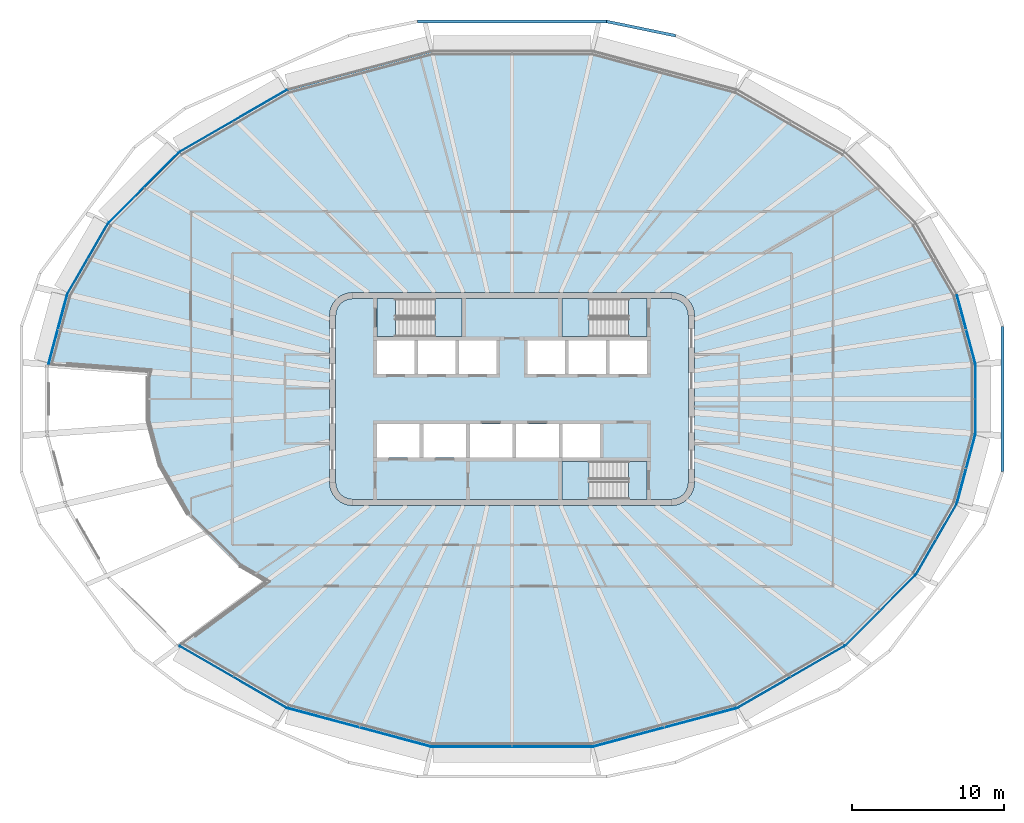
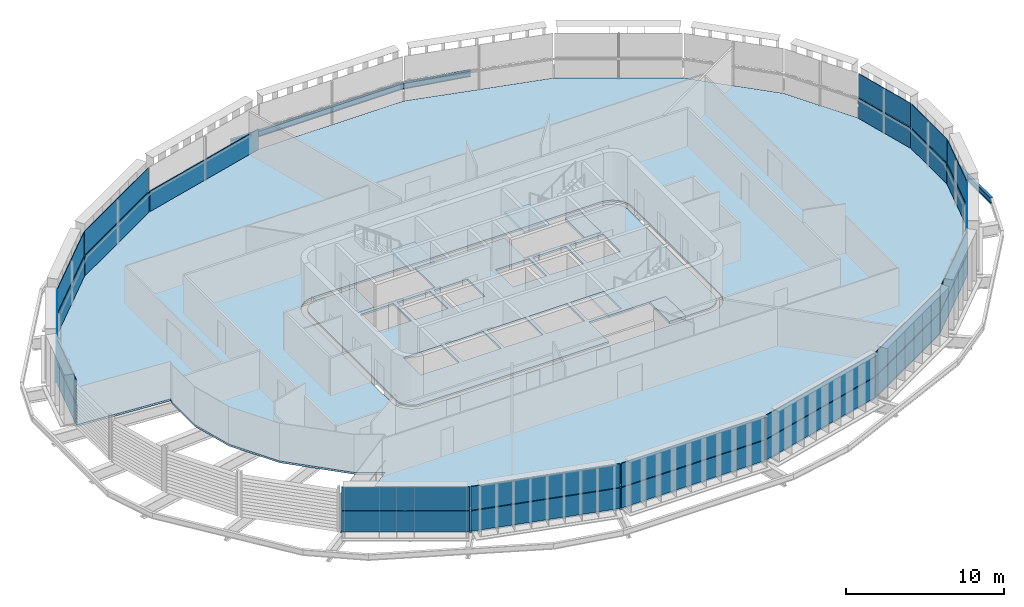
# One storey, part 8 of 19: 29 plates, 8 slabs, 3 beams, 18 elements without a shape of their own.
"""IFC4 building model written with IfcOpenShell, lengths in metres."""

import ifcopenshell
import ifcopenshell.guid

model = None  # the IFC model being written
_history = None  # IfcOwnerHistory: only IFC2X3 demands one
_inside = {}  # id of a spatial element -> (the spatial element, [elements in it])
_under = {}  # id of a project, library or spatial element -> (it, [spatial elements below it])
_declared = {}  # id of a project -> (the project, [libraries it declares])
_typed = {}  # id of a type object -> (the type object, [elements of that type])
_made_of = {}  # id of a material, layer set ... -> (it, [elements and type objects made of it])


def new_model(schema):
    """Start an empty IFC model of exactly this schema.

    Asked for "IFC4X3", IfcOpenShell would pick the latest addendum, in which some entities
    have other attributes; the version numbers below select the first issue.
    IFC2X3 requires an IfcOwnerHistory on every rooted entity: one is made here for all.
    """
    global model, _history
    if schema == "IFC4X3":
        model = ifcopenshell.file(schema_version=(4, 3, 0, 0))
    else:
        model = ifcopenshell.file(schema=schema)
    _inside.clear()
    _under.clear()
    _declared.clear()
    _typed.clear()
    _made_of.clear()
    _history = None
    if model.schema == "IFC2X3":
        org = make("IfcOrganization", Name="unknown")
        user = make(
            "IfcPersonAndOrganization",
            ThePerson=make("IfcPerson", FamilyName="unknown"),
            TheOrganization=org,
        )
        app = make(
            "IfcApplication",
            ApplicationDeveloper=org,
            Version="unknown",
            ApplicationFullName="unknown",
            ApplicationIdentifier="unknown",
        )
        _history = make(
            "IfcOwnerHistory",
            OwningUser=user,
            OwningApplication=app,
            ChangeAction="ADDED",
            CreationDate=0,
        )
    return model


def make(cls, **values):
    """One entity of the class cls with the attributes given. An attribute that is None is left unset."""
    return model.create_entity(
        cls, **{name: value for name, value in values.items() if value is not None}
    )


def rooted(cls, **values):
    """An entity with a GlobalId (a new one), such as an element, a storey or a relation."""
    return make(cls, GlobalId=ifcopenshell.guid.new(), OwnerHistory=_history, **values)


def si_unit(unit_type, name, prefix=None):
    """IfcSIUnit, for example si_unit("LENGTHUNIT", "METRE", prefix="MILLI")."""
    return make("IfcSIUnit", UnitType=unit_type, Prefix=prefix, Name=name)


def assignment(units):
    """IfcUnitAssignment: the units of a project."""
    return None if units is None else make("IfcUnitAssignment", Units=units)


def point(xyz):
    """IfcCartesianPoint."""
    return None if xyz is None else make("IfcCartesianPoint", Coordinates=xyz)


def direction(xyz):
    """IfcDirection."""
    return None if xyz is None else make("IfcDirection", DirectionRatios=xyz)


def frame(location, z_axis=None, x_axis=None):
    """IfcAxis2Placement3D, a coordinate frame: its origin and axes. An axis left out is left unset."""
    return make(
        "IfcAxis2Placement3D",
        Location=point(location),
        Axis=direction(z_axis),
        RefDirection=direction(x_axis),
    )


def frame_2d(location, x_axis=None):
    """IfcAxis2Placement2D, a coordinate frame in the plane: its origin and x axis."""
    return make(
        "IfcAxis2Placement2D", Location=point(location), RefDirection=direction(x_axis)
    )


def origin():
    """The frame at (0, 0, 0) with its axes left unset."""
    return frame((0.0, 0.0, 0.0))


def origin_2d():
    """The frame at (0, 0) in the plane with its x axis left unset."""
    return frame_2d((0.0, 0.0))


def place(relative_to, where):
    """IfcLocalPlacement: puts the frame where relative to a parent placement (None: the world)."""
    return make(
        "IfcLocalPlacement", PlacementRelTo=relative_to, RelativePlacement=where
    )


def context(
    kind, dimensions, precision=None, world=None, true_north=None, identifier=None
):
    """IfcGeometricRepresentationContext, for example the 3D "Model" context."""
    return make(
        "IfcGeometricRepresentationContext",
        ContextIdentifier=identifier,
        ContextType=kind,
        CoordinateSpaceDimension=dimensions,
        Precision=precision,
        WorldCoordinateSystem=world,
        TrueNorth=true_north,
    )


def subcontext(parent, identifier, kind, view, scale=None):
    """IfcGeometricRepresentationSubContext, for example "Body" below "Model"."""
    return make(
        "IfcGeometricRepresentationSubContext",
        ContextIdentifier=identifier,
        ContextType=kind,
        ParentContext=parent,
        TargetScale=scale,
        TargetView=view,
    )


def project(units=None, contexts=None):
    """IfcProject with its units and contexts."""
    return rooted(
        "IfcProject",
        Name="project",
        RepresentationContexts=contexts,
        UnitsInContext=assignment(units),
    )


def spatial(cls, under=None, at=None, **own):
    """A site, building, storey or space (cls), placed at a placement, below another one or the project."""
    s = rooted(cls, ObjectPlacement=at, **own)
    if under is not None:
        _under.setdefault(under.id(), (under, []))[1].append(s)
    return s


def polyline(points):
    """IfcPolyline through the points."""
    return make("IfcPolyline", Points=[point(p) for p in points])


def profile(cls, at=None, kind="AREA", **sizes):
    """A parametric profile (cls). Its sizes go by their IFC names, for example OverallWidth=200.0."""
    return make(cls, ProfileType=kind, Position=at, **sizes)


def i_section(**sizes):
    """IfcIShapeProfileDef."""
    return profile("IfcIShapeProfileDef", **sizes)


def outline(outer, holes=None, kind="AREA"):
    """IfcArbitraryClosedProfileDef: a profile drawn as a closed curve; with holes, ...WithVoids."""
    if holes is None:
        return make("IfcArbitraryClosedProfileDef", ProfileType=kind, OuterCurve=outer)
    return make(
        "IfcArbitraryProfileDefWithVoids",
        ProfileType=kind,
        OuterCurve=outer,
        InnerCurves=holes,
    )


def extrude(swept, where, along, depth):
    """IfcExtrudedAreaSolid: the profile swept, set in the frame where, extruded along a direction by depth."""
    return make(
        "IfcExtrudedAreaSolid",
        SweptArea=swept,
        Position=where,
        ExtrudedDirection=direction(along),
        Depth=depth,
    )


def shape(context_of_items, identifier, shape_type, items):
    """IfcShapeRepresentation: the items that make up one representation, for example the "Body"."""
    return make(
        "IfcShapeRepresentation",
        ContextOfItems=context_of_items,
        RepresentationIdentifier=identifier,
        RepresentationType=shape_type,
        Items=items,
    )


def material(Name=None, Category=None):
    """IfcMaterial."""
    return make("IfcMaterial", Name=Name, Category=Category)


def layer(
    of_material, thickness, ventilated=None, Name=None, Category=None, Priority=None
):
    """IfcMaterialLayer: one layer of a wall or slab, of a material (None: an air gap)."""
    return make(
        "IfcMaterialLayer",
        Material=of_material,
        LayerThickness=thickness,
        IsVentilated=ventilated,
        Name=Name,
        Category=Category,
        Priority=Priority,
    )


def layer_set(layers, Name=None):
    """IfcMaterialLayerSet."""
    return make("IfcMaterialLayerSet", MaterialLayers=layers, LayerSetName=Name)


def material_profile(
    of_material, cross_section, Name=None, Category=None, Priority=None
):
    """IfcMaterialProfile: a cross section and its material."""
    return make(
        "IfcMaterialProfile",
        Name=Name,
        Material=of_material,
        Profile=cross_section,
        Priority=Priority,
        Category=Category,
    )


def profile_set(profiles, Name=None, composite=None):
    """IfcMaterialProfileSet."""
    return make(
        "IfcMaterialProfileSet",
        Name=Name,
        MaterialProfiles=profiles,
        CompositeProfile=composite,
    )


def made_of(thing, what):
    """Note that an element or type object is made of a material, layer set ...; save() writes the relation."""
    if what is not None:
        _made_of.setdefault(what.id(), (what, []))[1].append(thing)
    return thing


def type_object(cls, material=None, **own):
    """A type object (cls), such as IfcWallType, which elements share."""
    return made_of(rooted(cls, **own), material)


def element(
    cls,
    number,
    at=None,
    inside=None,
    cuts=None,
    type_object=None,
    material=None,
    context=None,
    identifier="Body",
    shape_type=None,
    held_by="IfcProductDefinitionShape",
    body=None,
    shapes=None,
    **own,
):
    """One element of the class cls, such as IfcWall. Its Tag is "e" and its number.

    at: its placement. inside: the storey or other place that contains it. cuts: it is an
    opening in that element (IfcRelVoidsElement). A single representation is given by context,
    identifier, shape_type and body (its items); several are given by shapes. held_by: the class
    of the entity that holds the representations. save() writes the other relations.
    """
    e = rooted(cls, Tag="e%d" % number, ObjectPlacement=at, **own)
    if body is not None:
        shapes = [shape(context, identifier, shape_type, body)]
    if shapes is not None:
        e.Representation = make(held_by, Representations=shapes)
    if inside is not None:
        _inside.setdefault(inside.id(), (inside, []))[1].append(e)
    if cuts is not None:
        rooted(
            "IfcRelVoidsElement", RelatingBuildingElement=cuts, RelatedOpeningElement=e
        )
    if type_object is not None:
        _typed.setdefault(type_object.id(), (type_object, []))[1].append(e)
    return made_of(e, material)


def aggregate(whole, parts):
    """IfcRelAggregates: a whole, such as a stair, and the parts it consists of."""
    return rooted("IfcRelAggregates", RelatingObject=whole, RelatedObjects=parts)


def save(model, path):
    """Write the relations noted so far, then the file.

    IfcRelAggregates (storeys below a building ...), IfcRelContainedInSpatialStructure (elements
    in a storey), IfcRelDefinesByType, IfcRelAssociatesMaterial and IfcRelDeclares: one each for
    every whole, place, type object, material and project.
    """
    for whole, parts in _under.values():
        aggregate(whole, parts)
    for where, things in _inside.values():
        rooted(
            "IfcRelContainedInSpatialStructure",
            RelatedElements=things,
            RelatingStructure=where,
        )
    for kind, things in _typed.values():
        rooted("IfcRelDefinesByType", RelatedObjects=things, RelatingType=kind)
    for what, things in _made_of.values():
        rooted("IfcRelAssociatesMaterial", RelatedObjects=things, RelatingMaterial=what)
    for by, libraries in _declared.values():
        rooted("IfcRelDeclares", RelatingContext=by, RelatedDefinitions=libraries)
    model.write(path)


model = new_model("IFC4")

# Units and contexts
model_context = context("Model", 3, precision=1e-05, world=origin(), true_north=direction((0.0, 1.0)))
body_context = subcontext(model_context, "Body", "Model", "MODEL_VIEW")
ifc_project = project(units=[si_unit("LENGTHUNIT", "METRE"), si_unit("AREAUNIT", "SQUARE_METRE"), si_unit("VOLUMEUNIT", "CUBIC_METRE"), si_unit("PLANEANGLEUNIT", "RADIAN"), si_unit("MASSUNIT", "GRAM", prefix="KILO")], contexts=[model_context])

# Site, building, storey
site_placement = place(None, origin())
site = spatial("IfcSite", under=ifc_project, at=site_placement, CompositionType="ELEMENT")
building_placement = place(site_placement, origin())
building = spatial("IfcBuilding", under=site, at=building_placement, Name="Sahrelin Media Tower", CompositionType="ELEMENT")
storey_placement = place(building_placement, frame((0.0, 0.0, 229.60009765625)))
storey = spatial("IfcBuildingStorey", under=building, at=storey_placement, Name="L49", CompositionType="ELEMENT", Elevation=229.60009765625)

# Beams
ifc_material_1 = material(Name="Steel S355", Category="steel")
ifc_material_profile = material_profile(ifc_material_1, i_section(OverallWidth=0.1904296875, OverallDepth=0.45703125, WebThickness=0.009033203125, FlangeThickness=0.014404296875, FilletRadius=0.01025390625, at=origin_2d()), Name="UB 457x191x74")
ifc_profile_set = profile_set([ifc_material_profile], Name="Steel S355")
beam_type = type_object("IfcBeamType", Name="Tie chord TC5", PredefinedType="BEAM", material=ifc_profile_set)
beam_1_placement = place(storey_placement, frame((10.750732421875, 23.895263671875, -0.378662109375), z_axis=(-0.979389968608, 0.201978437935, 0.0), x_axis=(-0.201978437935, -0.979389968608, 0.0)))
element("IfcBeam", 1, at=beam_1_placement, inside=storey, type_object=beam_type, Name="Tie chord L49-05", PredefinedType="BEAM", context=body_context, shape_type="SweptSolid", body=[
    extrude(i_section(OverallWidth=0.1904296875, OverallDepth=0.45703125, WebThickness=0.009033203125, FlangeThickness=0.014404296875, FilletRadius=0.01025390625, at=origin_2d()), origin(), (0.0, 0.0, 1.0), 4.63427734375),
])
beam_2_placement = place(storey_placement, frame((6.2119140625, 24.831298828125, -0.378662109375), z_axis=(-1.0, 0.0, 0.0), x_axis=(0.0, -1.0, 0.0)))
element("IfcBeam", 2, at=beam_2_placement, inside=storey, type_object=beam_type, Name="Tie chord L49-06", PredefinedType="BEAM", context=body_context, shape_type="SweptSolid", body=[
    extrude(i_section(OverallWidth=0.1904296875, OverallDepth=0.45703125, WebThickness=0.009033203125, FlangeThickness=0.014404296875, FilletRadius=0.01025390625, at=origin_2d()), origin(), (0.0, 0.0, 1.0), 12.423828125),
])
beam_3_placement = place(storey_placement, frame((32.26123046875, -4.781494140625, -0.378662109375), z_axis=(0.0, 1.0, 0.0), x_axis=(-1.0, 0.0, 0.0)))
element("IfcBeam", 3, at=beam_3_placement, inside=storey, type_object=beam_type, Name="Tie chord L49-24", PredefinedType="BEAM", context=body_context, shape_type="SweptSolid", body=[
    extrude(i_section(OverallWidth=0.1904296875, OverallDepth=0.45703125, WebThickness=0.009033203125, FlangeThickness=0.014404296875, FilletRadius=0.01025390625, at=origin_2d()), origin(), (0.0, 0.0, 1.0), 9.56298828125),
])

# Slabs
ifc_material_2 = material(Name="Concrete C40/50", Category="concrete")
ifc_layer_1 = layer(ifc_material_2, 0.14990234375)
ifc_layer_set_1 = layer_set([ifc_layer_1], Name="Composite floor slab 150")
slab_type_1 = type_object("IfcSlabType", Name="Composite floor slab 150", PredefinedType="FLOOR", material=ifc_layer_set_1)
placement_1 = place(storey_placement, frame((0.0, 0.0, -0.150146484375)))
element("IfcSlab", 4, at=placement_1, inside=storey, type_object=slab_type_1, Name="Floor slab L49", PredefinedType="FLOOR", context=body_context, shape_type="SweptSolid", body=[
    extrude(outline(polyline([(29.2421875, -6.87255859375), (30.47412109375, -2.275390625), (30.47412109375, 2.275390625), (29.2421875, 6.87255859375), (26.5341796875, 11.563232421875), (21.880126953125, 16.21728515625), (14.775390625, 20.3193359375), (5.2783203125, 22.864013671875), (-5.2783203125, 22.864013671875), (-14.775390625, 20.3193359375), (-21.880126953125, 16.21728515625), (-26.5341796875, 11.563232421875), (-29.2421875, 6.87255859375), (-30.473876953125, 2.2763671875), (-23.89697265625, 1.78515625), (-23.994140625, 1.422119140625), (-23.994140625, -1.422119140625), (-23.203857421875, -4.371337890625), (-21.348876953125, -7.58447265625), (-17.9013671875, -11.031982421875), (-16.201416015625, -12.013427734375), (-21.875, -16.22021484375), (-14.775390625, -20.3193359375), (-5.2783203125, -22.864013671875), (5.2783203125, -22.864013671875), (14.775390625, -20.3193359375), (21.880126953125, -16.21728515625), (26.5341796875, -11.563232421875), (29.2421875, -6.87255859375)]), holes=[polyline([(11.799072265625, 6.25), (11.948974609375, 5.88818359375), (12.0, 5.5), (12.0, -5.5), (11.948974609375, -5.88818359375), (11.799072265625, -6.25), (11.560791015625, -6.560791015625), (11.25, -6.799072265625), (10.88818359375, -6.948974609375), (10.5, -7.0), (-10.5, -7.0), (-10.88818359375, -6.948974609375), (-11.25, -6.799072265625), (-11.560791015625, -6.560791015625), (-11.799072265625, -6.25), (-11.948974609375, -5.88818359375), (-12.0, -5.5), (-12.0, 5.5), (-11.948974609375, 5.88818359375), (-11.799072265625, 6.25), (-11.560791015625, 6.560791015625), (-11.25, 6.799072265625), (-10.88818359375, 6.948974609375), (-10.5, 7.0), (10.5, 7.0), (10.88818359375, 6.948974609375), (11.25, 6.799072265625), (11.560791015625, 6.560791015625), (11.799072265625, 6.25)])]), origin(), (0.0, 0.0, 1.0), 0.150146484375),
])
ifc_layer_2 = layer(ifc_material_2, 0.14990234375)
ifc_layer_set_2 = layer_set([ifc_layer_2], Name="Core floor slab 150")
slab_type_2 = type_object("IfcSlabType", Name="Core floor slab 150", PredefinedType="FLOOR", material=ifc_layer_set_2)
element("IfcSlab", 5, at=placement_1, inside=storey, type_object=slab_type_2, Name="Core floor", PredefinedType="FLOOR", context=body_context, shape_type="SweptSolid", body=[
    extrude(outline(polyline([(-11.60009765625, -5.473876953125), (-11.55908203125, -5.78369140625), (-11.44970703125, -6.04833984375), (-11.275390625, -6.275390625), (-11.04833984375, -6.44970703125), (-10.78369140625, -6.55908203125), (-10.473876953125, -6.60009765625), (3.27490234375, -6.60009765625), (3.27490234375, -4.10009765625), (8.875, -4.10009765625), (8.875, -6.60009765625), (10.473876953125, -6.60009765625), (10.78369140625, -6.55908203125), (11.04833984375, -6.44970703125), (11.275390625, -6.275390625), (11.44970703125, -6.04833984375), (11.55908203125, -5.78369140625), (11.60009765625, -5.473876953125), (11.60009765625, 5.473876953125), (11.55908203125, 5.78369140625), (11.44970703125, 6.04833984375), (11.275390625, 6.275390625), (11.04833984375, 6.44970703125), (10.78369140625, 6.55908203125), (10.473876953125, 6.60009765625), (8.875, 6.60009765625), (8.875, 4.10009765625), (3.27490234375, 4.10009765625), (3.27490234375, 6.60009765625), (-3.27490234375, 6.60009765625), (-3.27490234375, 4.10009765625), (-8.875, 4.10009765625), (-8.875, 6.60009765625), (-10.473876953125, 6.60009765625), (-10.78369140625, 6.55908203125), (-11.04833984375, 6.44970703125), (-11.275390625, 6.275390625), (-11.44970703125, 6.04833984375), (-11.55908203125, 5.78369140625), (-11.60009765625, 5.473876953125), (-11.60009765625, -5.473876953125)]), holes=[polyline([(-8.875, 3.85009765625), (-8.875, 1.64990234375), (-6.425048828125, 1.64990234375), (-6.425048828125, 3.85009765625), (-8.875, 3.85009765625)]), polyline([(-3.72509765625, 3.85009765625), (-6.175048828125, 3.85009765625), (-6.175048828125, 1.64990234375), (-3.72509765625, 1.64990234375), (-3.72509765625, 3.85009765625)]), polyline([(-1.02490234375, 1.64990234375), (-1.02490234375, 3.85009765625), (-3.47509765625, 3.85009765625), (-3.47509765625, 1.64990234375), (-1.02490234375, 1.64990234375)]), polyline([(1.02490234375, 1.64990234375), (3.47509765625, 1.64990234375), (3.47509765625, 3.85009765625), (1.02490234375, 3.85009765625), (1.02490234375, 1.64990234375)]), polyline([(3.72509765625, 3.85009765625), (3.72509765625, 1.64990234375), (6.175048828125, 1.64990234375), (6.175048828125, 3.85009765625), (3.72509765625, 3.85009765625)]), polyline([(8.875, 3.85009765625), (6.425048828125, 3.85009765625), (6.425048828125, 1.64990234375), (8.875, 1.64990234375), (8.875, 3.85009765625)]), polyline([(-6.074951171875, -3.85009765625), (-6.074951171875, -1.64990234375), (-8.875, -1.64990234375), (-8.875, -3.85009765625), (-6.074951171875, -3.85009765625)]), polyline([(-5.824951171875, -3.85009765625), (-3.02490234375, -3.85009765625), (-3.02490234375, -1.64990234375), (-5.824951171875, -1.64990234375), (-5.824951171875, -3.85009765625)]), polyline([(-2.77490234375, -1.64990234375), (-2.77490234375, -3.85009765625), (0.02490234375, -3.85009765625), (0.02490234375, -1.64990234375), (-2.77490234375, -1.64990234375)]), polyline([(3.074951171875, -1.64990234375), (0.27490234375, -1.64990234375), (0.27490234375, -3.85009765625), (3.074951171875, -3.85009765625), (3.074951171875, -1.64990234375)]), polyline([(5.77490234375, -3.85009765625), (5.77490234375, -1.64990234375), (3.324951171875, -1.64990234375), (3.324951171875, -3.85009765625), (5.77490234375, -3.85009765625)])]), origin(), (0.0, 0.0, 1.0), 0.150146484375),
])

# Curtain wall, plate
ifc_material_3 = material(Name="Champagne anodised aluminium 6063-T6", Category="aluminium")
ifc_layer_3 = layer(ifc_material_3, 0.14990234375)
ifc_layer_set_3 = layer_set([ifc_layer_3], Name="Tower ribbon curtain wall")
curtain_wall_type = type_object("IfcCurtainWallType", Name="Tower ribbon curtain wall", PredefinedType="NOTDEFINED", material=ifc_layer_set_3)
curtain_wall_1_placement = place(storey_placement, frame((30.494140625, 0.0, 0.0), z_axis=(0.0, 0.0, 1.0), x_axis=(1.0, 0.0, 0.0)))
curtain_wall_1 = element("IfcCurtainWall", 6, at=curtain_wall_1_placement, inside=storey, type_object=curtain_wall_type, Name="L49:CW:L49-00", PredefinedType="NOTDEFINED")
ifc_material_4 = material(Name="Clear low-iron glazing", Category="glass")
ifc_layer_4 = layer(ifc_material_4, 0.0439453125)
ifc_layer_set_4 = layer_set([ifc_layer_4], Name="Glazing panel 44 mm CW1B")
plate_type_1 = type_object("IfcPlateType", Name="Glazing panel 44 mm CW1B", PredefinedType="CURTAIN_PANEL", material=ifc_layer_set_4)
plate_1_placement = place(storey_placement, frame((30.51416015625, -2.227783203125, 1.6298828125), z_axis=(1.0, 0.0, 0.0), x_axis=(0.0, 1.0, 0.0)))
plate_1 = element("IfcPlate", 7, at=plate_1_placement, type_object=plate_type_1, Name="L49:CWP2:L49-00", PredefinedType="CURTAIN_PANEL", context=body_context, shape_type="SweptSolid", body=[
    extrude(outline(polyline([(0.0, 0.0), (4.45556640625, 0.0), (4.45556640625, 1.818603515625), (0.0, 1.818603515625), (0.0, 0.0)])), origin(), (0.0, 0.0, -1.0), 0.0439453125),
])

curtain_wall_2_placement = place(storey_placement, frame((29.87744140625, 4.5791015625, 0.0), z_axis=(0.0, 0.0, 1.0), x_axis=(1.0, 0.0, 0.0)))
curtain_wall_2 = element("IfcCurtainWall", 8, at=curtain_wall_2_placement, inside=storey, type_object=curtain_wall_type, Name="L49:CW:L49-01", PredefinedType="NOTDEFINED")
plate_2_placement = place(storey_placement, frame((30.50048828125, 2.331298828125, 1.6298828125), z_axis=(0.965929362804, 0.258805846287, 0.0), x_axis=(-0.258805846287, 0.965929362804, 0.0)))
plate_2 = element("IfcPlate", 9, at=plate_2_placement, type_object=plate_type_1, Name="L49:CWP2:L49-01", PredefinedType="CURTAIN_PANEL", context=body_context, shape_type="SweptSolid", body=[
    extrude(outline(polyline([(0.0, 0.0), (4.664794921875, 0.0), (4.664794921875, 1.818603515625), (0.0, 1.818603515625), (0.0, 0.0)])), origin(), (0.0, 0.0, -1.0), 0.0439453125),
])

curtain_wall_3_placement = place(storey_placement, frame((-18.337646484375, 18.285400390625, 0.0), z_axis=(0.0, 0.0, 1.0), x_axis=(1.0, 0.0, 0.0)))
curtain_wall_3 = element("IfcCurtainWall", 10, at=curtain_wall_3_placement, inside=storey, type_object=curtain_wall_type, Name="L49:CW:L49-08", PredefinedType="NOTDEFINED")
plate_3_placement = place(storey_placement, frame((-14.836181640625, 20.330078125, 1.6298828125), z_axis=(-0.499998693927, 0.866026157845, 0.0), x_axis=(-0.866026157845, -0.499998693927, 0.0)))
plate_3 = element("IfcPlate", 11, at=plate_3_placement, type_object=plate_type_1, Name="L49:CWP2:L49-08", PredefinedType="CURTAIN_PANEL", context=body_context, shape_type="SweptSolid", body=[
    extrude(outline(polyline([(0.0, 0.0), (8.109375, 0.0), (8.109375, 1.818603515625), (0.0, 1.818603515625), (0.0, 0.0)])), origin(), (0.0, 0.0, -1.0), 0.0439453125),
])

curtain_wall_4_placement = place(storey_placement, frame((-24.22119140625, 13.904296875, 0.0), z_axis=(0.0, 0.0, 1.0), x_axis=(1.0, 0.0, 0.0)))
curtain_wall_4 = element("IfcCurtainWall", 12, at=curtain_wall_4_placement, inside=storey, type_object=curtain_wall_type, Name="L49:CW:L49-09", PredefinedType="NOTDEFINED")
plate_4_placement = place(storey_placement, frame((-21.94189453125, 16.2119140625, 1.6298828125), z_axis=(-0.707106781187, 0.707106781187, 0.0), x_axis=(-0.707106781187, -0.707106781187, 0.0)))
plate_4 = element("IfcPlate", 13, at=plate_4_placement, type_object=plate_type_1, Name="L49:CWP2:L49-09", PredefinedType="CURTAIN_PANEL", context=body_context, shape_type="SweptSolid", body=[
    extrude(outline(polyline([(0.0, 0.0), (6.48681640625, 0.0), (6.48681640625, 1.818603515625), (0.0, 1.818603515625), (0.0, 0.0)])), origin(), (0.0, 0.0, -1.0), 0.0439453125),
])

curtain_wall_5_placement = place(storey_placement, frame((-27.905517578125, 9.227783203125, 0.0), z_axis=(0.0, 0.0, 1.0), x_axis=(1.0, 0.0, 0.0)))
curtain_wall_5 = element("IfcCurtainWall", 14, at=curtain_wall_5_placement, inside=storey, type_object=curtain_wall_type, Name="L49:CW:L49-10", PredefinedType="NOTDEFINED")
plate_5_placement = place(storey_placement, frame((-26.59228515625, 11.542236328125, 1.6298828125), z_axis=(-0.866018272686, 0.500012351221, 0.0), x_axis=(-0.500012351221, -0.866018272686, 0.0)))
plate_5 = element("IfcPlate", 15, at=plate_5_placement, type_object=plate_type_1, Name="L49:CWP2:L49-10", PredefinedType="CURTAIN_PANEL", context=body_context, shape_type="SweptSolid", body=[
    extrude(outline(polyline([(0.0, 0.0), (5.321533203125, 0.0), (5.321533203125, 1.818603515625), (0.0, 1.818603515625), (0.0, 0.0)])), origin(), (0.0, 0.0, -1.0), 0.0439453125),
])

curtain_wall_6_placement = place(storey_placement, frame((-29.87744140625, 4.5791015625, 0.0), z_axis=(0.0, 0.0, 1.0), x_axis=(1.0, 0.0, 0.0)))
curtain_wall_6 = element("IfcCurtainWall", 16, at=curtain_wall_6_placement, inside=storey, type_object=curtain_wall_type, Name="L49:CW:L49-11", PredefinedType="NOTDEFINED")
plate_6_placement = place(storey_placement, frame((-29.293212890625, 6.837158203125, 1.6298828125), z_axis=(-0.965929362804, 0.258805846287, 0.0), x_axis=(-0.258805846287, -0.965929362804, 0.0)))
plate_6 = element("IfcPlate", 17, at=plate_6_placement, type_object=plate_type_1, Name="L49:CWP2:L49-11", PredefinedType="CURTAIN_PANEL", context=body_context, shape_type="SweptSolid", body=[
    extrude(outline(polyline([(0.0, 0.0), (4.664794921875, 0.0), (4.664794921875, 1.818603515625), (0.0, 1.818603515625), (0.0, 0.0)])), origin(), (0.0, 0.0, -1.0), 0.0439453125),
])

curtain_wall_7_placement = place(storey_placement, frame((-18.337646484375, -18.28564453125, 0.0), z_axis=(0.0, 0.0, 1.0), x_axis=(1.0, 0.0, 0.0)))
curtain_wall_7 = element("IfcCurtainWall", 18, at=curtain_wall_7_placement, inside=storey, type_object=curtain_wall_type, Name="L49:CW:L49-16", PredefinedType="NOTDEFINED")
plate_7_placement = place(storey_placement, frame((-21.859130859375, -16.275390625, 1.6298828125), z_axis=(-0.499998693927, -0.866026157845, 0.0), x_axis=(0.866026157845, -0.499998693927, 0.0)))
plate_7 = element("IfcPlate", 19, at=plate_7_placement, type_object=plate_type_1, Name="L49:CWP2:L49-16", PredefinedType="CURTAIN_PANEL", context=body_context, shape_type="SweptSolid", body=[
    extrude(outline(polyline([(0.0, 0.0), (8.109375, 0.0), (8.109375, 1.818603515625), (0.0, 1.818603515625), (0.0, 0.0)])), origin(), (0.0, 0.0, -1.0), 0.0439453125),
])

curtain_wall_8_placement = place(storey_placement, frame((-10.031982421875, -21.61083984375, 0.0), z_axis=(0.0, 0.0, 1.0), x_axis=(1.0, 0.0, 0.0)))
curtain_wall_8 = element("IfcCurtainWall", 20, at=curtain_wall_8_placement, inside=storey, type_object=curtain_wall_type, Name="L49:CW:L49-17", PredefinedType="NOTDEFINED")
plate_8_placement = place(storey_placement, frame((-14.739990234375, -20.3701171875, 1.6298828125), z_axis=(-0.258818797432, -0.965925892652, 0.0), x_axis=(0.965925892652, -0.258818797432, 0.0)))
plate_8 = element("IfcPlate", 21, at=plate_8_placement, type_object=plate_type_1, Name="L49:CWP2:L49-17", PredefinedType="CURTAIN_PANEL", context=body_context, shape_type="SweptSolid", body=[
    extrude(outline(polyline([(0.0, 0.0), (9.737548828125, 0.0), (9.737548828125, 1.818603515625), (0.0, 1.818603515625), (0.0, 0.0)])), origin(), (0.0, 0.0, -1.0), 0.0439453125),
])

curtain_wall_9_placement = place(storey_placement, frame((0.0, -22.884033203125, 0.0), z_axis=(0.0, 0.0, 1.0), x_axis=(1.0, 0.0, 0.0)))
curtain_wall_9 = element("IfcCurtainWall", 22, at=curtain_wall_9_placement, inside=storey, type_object=curtain_wall_type, Name="L49:CW:L49-18", PredefinedType="NOTDEFINED")
plate_9_placement = place(storey_placement, frame((-5.230712890625, -22.904052734375, 1.6298828125), z_axis=(0.0, -1.0, 0.0), x_axis=(1.0, 0.0, 0.0)))
plate_9 = element("IfcPlate", 23, at=plate_9_placement, type_object=plate_type_1, Name="L49:CWP2:L49-18", PredefinedType="CURTAIN_PANEL", context=body_context, shape_type="SweptSolid", body=[
    extrude(outline(polyline([(0.0, 0.0), (10.46142578125, 0.0), (10.46142578125, 1.818603515625), (0.0, 1.818603515625), (0.0, 0.0)])), origin(), (0.0, 0.0, -1.0), 0.0439453125),
])

curtain_wall_10_placement = place(storey_placement, frame((10.031982421875, -21.611083984375, 0.0), z_axis=(0.0, 0.0, 1.0), x_axis=(1.0, 0.0, 0.0)))
curtain_wall_10 = element("IfcCurtainWall", 24, at=curtain_wall_10_placement, inside=storey, type_object=curtain_wall_type, Name="L49:CW:L49-19", PredefinedType="NOTDEFINED")
plate_10_placement = place(storey_placement, frame((5.334228515625, -22.890380859375, 1.6298828125), z_axis=(0.258818797432, -0.965925892652, 0.0), x_axis=(0.965925892652, 0.258818797432, 0.0)))
plate_10 = element("IfcPlate", 25, at=plate_10_placement, type_object=plate_type_1, Name="L49:CWP2:L49-19", PredefinedType="CURTAIN_PANEL", context=body_context, shape_type="SweptSolid", body=[
    extrude(outline(polyline([(0.0, 0.0), (9.737548828125, 0.0), (9.737548828125, 1.818603515625), (0.0, 1.818603515625), (0.0, 0.0)])), origin(), (0.0, 0.0, -1.0), 0.0439453125),
])

curtain_wall_11_placement = place(storey_placement, frame((18.337646484375, -18.285400390625, 0.0), z_axis=(0.0, 0.0, 1.0), x_axis=(1.0, 0.0, 0.0)))
curtain_wall_11 = element("IfcCurtainWall", 26, at=curtain_wall_11_placement, inside=storey, type_object=curtain_wall_type, Name="L49:CW:L49-20", PredefinedType="NOTDEFINED")
plate_11_placement = place(storey_placement, frame((14.836181640625, -20.330078125, 1.6298828125), z_axis=(0.499998693927, -0.866026157845, 0.0), x_axis=(0.866026157845, 0.499998693927, 0.0)))
plate_11 = element("IfcPlate", 27, at=plate_11_placement, type_object=plate_type_1, Name="L49:CWP2:L49-20", PredefinedType="CURTAIN_PANEL", context=body_context, shape_type="SweptSolid", body=[
    extrude(outline(polyline([(0.0, 0.0), (8.109375, 0.0), (8.109375, 1.818603515625), (0.0, 1.818603515625), (0.0, 0.0)])), origin(), (0.0, 0.0, -1.0), 0.0439453125),
])

curtain_wall_12_placement = place(storey_placement, frame((24.22119140625, -13.904296875, 0.0), z_axis=(0.0, 0.0, 1.0), x_axis=(1.0, 0.0, 0.0)))
curtain_wall_12 = element("IfcCurtainWall", 28, at=curtain_wall_12_placement, inside=storey, type_object=curtain_wall_type, Name="L49:CW:L49-21", PredefinedType="NOTDEFINED")
plate_12_placement = place(storey_placement, frame((21.94189453125, -16.2119140625, 1.6298828125), z_axis=(0.707106781187, -0.707106781187, 0.0), x_axis=(0.707106781187, 0.707106781187, 0.0)))
plate_12 = element("IfcPlate", 29, at=plate_12_placement, type_object=plate_type_1, Name="L49:CWP2:L49-21", PredefinedType="CURTAIN_PANEL", context=body_context, shape_type="SweptSolid", body=[
    extrude(outline(polyline([(0.0, 0.0), (6.48681640625, 0.0), (6.48681640625, 1.818603515625), (0.0, 1.818603515625), (0.0, 0.0)])), origin(), (0.0, 0.0, -1.0), 0.0439453125),
])

curtain_wall_13_placement = place(storey_placement, frame((27.905517578125, -9.227783203125, 0.0), z_axis=(0.0, 0.0, 1.0), x_axis=(1.0, 0.0, 0.0)))
curtain_wall_13 = element("IfcCurtainWall", 30, at=curtain_wall_13_placement, inside=storey, type_object=curtain_wall_type, Name="L49:CW:L49-22", PredefinedType="NOTDEFINED")
plate_13_placement = place(storey_placement, frame((26.59228515625, -11.542236328125, 1.6298828125), z_axis=(0.866018272686, -0.500012351221, 0.0), x_axis=(0.500012351221, 0.866018272686, 0.0)))
plate_13 = element("IfcPlate", 31, at=plate_13_placement, type_object=plate_type_1, Name="L49:CWP2:L49-22", PredefinedType="CURTAIN_PANEL", context=body_context, shape_type="SweptSolid", body=[
    extrude(outline(polyline([(0.0, 0.0), (5.321533203125, 0.0), (5.321533203125, 1.818603515625), (0.0, 1.818603515625), (0.0, 0.0)])), origin(), (0.0, 0.0, -1.0), 0.0439453125),
])

curtain_wall_14_placement = place(storey_placement, frame((29.87744140625, -4.5791015625, 0.0), z_axis=(0.0, 0.0, 1.0), x_axis=(1.0, 0.0, 0.0)))
curtain_wall_14 = element("IfcCurtainWall", 32, at=curtain_wall_14_placement, inside=storey, type_object=curtain_wall_type, Name="L49:CW:L49-23", PredefinedType="NOTDEFINED")
plate_14_placement = place(storey_placement, frame((29.293212890625, -6.837158203125, 1.6298828125), z_axis=(0.965929362804, -0.258805846287, 0.0), x_axis=(0.258805846287, 0.965929362804, 0.0)))
plate_14 = element("IfcPlate", 33, at=plate_14_placement, type_object=plate_type_1, Name="L49:CWP2:L49-23", PredefinedType="CURTAIN_PANEL", context=body_context, shape_type="SweptSolid", body=[
    extrude(outline(polyline([(0.0, 0.0), (4.664794921875, 0.0), (4.664794921875, 1.818603515625), (0.0, 1.818603515625), (0.0, 0.0)])), origin(), (0.0, 0.0, -1.0), 0.0439453125),
])

# Plate
ifc_material_5 = material(Name="Insulated spandrel panel")
ifc_layer_5 = layer(ifc_material_5, 0.06005859375)
ifc_layer_set_5 = layer_set([ifc_layer_5], Name="Spandrel panel 60 mm CW1")
plate_type_2 = type_object("IfcPlateType", Name="Spandrel panel 60 mm CW1", PredefinedType="SHEET", material=ifc_layer_set_5)
plate_15_placement = place(storey_placement, frame((30.51416015625, -2.227783203125, 0.0), z_axis=(1.0, 0.0, 0.0), x_axis=(0.0, 1.0, 0.0)))
plate_15 = element("IfcPlate", 34, at=plate_15_placement, type_object=plate_type_2, Name="L49:CWP1:L49-00", PredefinedType="SHEET", context=body_context, shape_type="SweptSolid", body=[
    extrude(outline(polyline([(0.0, 0.0), (4.45556640625, 0.0), (4.45556640625, 1.56982421875), (0.0, 1.56982421875), (0.0, 0.0)])), origin(), (0.0, 0.0, -1.0), 0.06005859375),
])

aggregate(curtain_wall_1, [plate_15, plate_1])

plate_16_placement = place(storey_placement, frame((30.50048828125, 2.331298828125, 0.0), z_axis=(0.965929362804, 0.258805846287, 0.0), x_axis=(-0.258805846287, 0.965929362804, 0.0)))
plate_16 = element("IfcPlate", 35, at=plate_16_placement, type_object=plate_type_2, Name="L49:CWP1:L49-01", PredefinedType="SHEET", context=body_context, shape_type="SweptSolid", body=[
    extrude(outline(polyline([(0.0, 0.0), (4.664794921875, 0.0), (4.664794921875, 1.56982421875), (0.0, 1.56982421875), (0.0, 0.0)])), origin(), (0.0, 0.0, -1.0), 0.06005859375),
])

aggregate(curtain_wall_2, [plate_16, plate_2])

# Curtain wall, plate
curtain_wall_15_placement = place(storey_placement, frame((-10.031982421875, 21.611083984375, 0.0), z_axis=(0.0, 0.0, 1.0), x_axis=(1.0, 0.0, 0.0)))
curtain_wall_15 = element("IfcCurtainWall", 36, at=curtain_wall_15_placement, inside=storey, type_object=curtain_wall_type, Name="L49:CW:L49-07", PredefinedType="NOTDEFINED")
plate_17_placement = place(storey_placement, frame((-5.334228515625, 22.890380859375, 0.0), z_axis=(-0.258818797432, 0.965925892652, 0.0), x_axis=(-0.965925892652, -0.258818797432, 0.0)))
plate_17 = element("IfcPlate", 37, at=plate_17_placement, type_object=plate_type_2, Name="L49:CWP1:L49-07", PredefinedType="SHEET", context=body_context, shape_type="SweptSolid", body=[
    extrude(outline(polyline([(0.0, 0.0), (9.737548828125, 0.0), (9.737548828125, 1.56982421875), (0.0, 1.56982421875), (0.0, 0.0)])), origin(), (0.0, 0.0, -1.0), 0.06005859375),
])
aggregate(curtain_wall_15, [plate_17])

# Plate
plate_18_placement = place(storey_placement, frame((-14.836181640625, 20.330078125, 0.0), z_axis=(-0.499998693927, 0.866026157845, 0.0), x_axis=(-0.866026157845, -0.499998693927, 0.0)))
plate_18 = element("IfcPlate", 38, at=plate_18_placement, type_object=plate_type_2, Name="L49:CWP1:L49-08", PredefinedType="SHEET", context=body_context, shape_type="SweptSolid", body=[
    extrude(outline(polyline([(0.0, 0.0), (8.109375, 0.0), (8.109375, 1.56982421875), (0.0, 1.56982421875), (0.0, 0.0)])), origin(), (0.0, 0.0, -1.0), 0.06005859375),
])

aggregate(curtain_wall_3, [plate_18, plate_3])

plate_19_placement = place(storey_placement, frame((-21.94189453125, 16.2119140625, 0.0), z_axis=(-0.707106781187, 0.707106781187, 0.0), x_axis=(-0.707106781187, -0.707106781187, 0.0)))
plate_19 = element("IfcPlate", 39, at=plate_19_placement, type_object=plate_type_2, Name="L49:CWP1:L49-09", PredefinedType="SHEET", context=body_context, shape_type="SweptSolid", body=[
    extrude(outline(polyline([(0.0, 0.0), (6.48681640625, 0.0), (6.48681640625, 1.56982421875), (0.0, 1.56982421875), (0.0, 0.0)])), origin(), (0.0, 0.0, -1.0), 0.06005859375),
])

aggregate(curtain_wall_4, [plate_19, plate_4])

plate_20_placement = place(storey_placement, frame((-26.59228515625, 11.542236328125, 0.0), z_axis=(-0.866018272686, 0.500012351221, 0.0), x_axis=(-0.500012351221, -0.866018272686, 0.0)))
plate_20 = element("IfcPlate", 40, at=plate_20_placement, type_object=plate_type_2, Name="L49:CWP1:L49-10", PredefinedType="SHEET", context=body_context, shape_type="SweptSolid", body=[
    extrude(outline(polyline([(0.0, 0.0), (5.321533203125, 0.0), (5.321533203125, 1.56982421875), (0.0, 1.56982421875), (0.0, 0.0)])), origin(), (0.0, 0.0, -1.0), 0.06005859375),
])

aggregate(curtain_wall_5, [plate_20, plate_5])

plate_21_placement = place(storey_placement, frame((-29.293212890625, 6.837158203125, 0.0), z_axis=(-0.965929362804, 0.258805846287, 0.0), x_axis=(-0.258805846287, -0.965929362804, 0.0)))
plate_21 = element("IfcPlate", 41, at=plate_21_placement, type_object=plate_type_2, Name="L49:CWP1:L49-11", PredefinedType="SHEET", context=body_context, shape_type="SweptSolid", body=[
    extrude(outline(polyline([(0.0, 0.0), (4.664794921875, 0.0), (4.664794921875, 1.56982421875), (0.0, 1.56982421875), (0.0, 0.0)])), origin(), (0.0, 0.0, -1.0), 0.06005859375),
])

aggregate(curtain_wall_6, [plate_21, plate_6])

plate_22_placement = place(storey_placement, frame((-21.859130859375, -16.275390625, 0.0), z_axis=(-0.499998693927, -0.866026157845, 0.0), x_axis=(0.866026157845, -0.499998693927, 0.0)))
plate_22 = element("IfcPlate", 42, at=plate_22_placement, type_object=plate_type_2, Name="L49:CWP1:L49-16", PredefinedType="SHEET", context=body_context, shape_type="SweptSolid", body=[
    extrude(outline(polyline([(0.0, 0.0), (8.109375, 0.0), (8.109375, 1.56982421875), (0.0, 1.56982421875), (0.0, 0.0)])), origin(), (0.0, 0.0, -1.0), 0.06005859375),
])

aggregate(curtain_wall_7, [plate_22, plate_7])

plate_23_placement = place(storey_placement, frame((-14.739990234375, -20.3701171875, 0.0), z_axis=(-0.258818797432, -0.965925892652, 0.0), x_axis=(0.965925892652, -0.258818797432, 0.0)))
plate_23 = element("IfcPlate", 43, at=plate_23_placement, type_object=plate_type_2, Name="L49:CWP1:L49-17", PredefinedType="SHEET", context=body_context, shape_type="SweptSolid", body=[
    extrude(outline(polyline([(0.0, 0.0), (9.737548828125, 0.0), (9.737548828125, 1.56982421875), (0.0, 1.56982421875), (0.0, 0.0)])), origin(), (0.0, 0.0, -1.0), 0.06005859375),
])

aggregate(curtain_wall_8, [plate_23, plate_8])

plate_24_placement = place(storey_placement, frame((-5.230712890625, -22.904052734375, 0.0), z_axis=(0.0, -1.0, 0.0), x_axis=(1.0, 0.0, 0.0)))
plate_24 = element("IfcPlate", 44, at=plate_24_placement, type_object=plate_type_2, Name="L49:CWP1:L49-18", PredefinedType="SHEET", context=body_context, shape_type="SweptSolid", body=[
    extrude(outline(polyline([(0.0, 0.0), (10.46142578125, 0.0), (10.46142578125, 1.56982421875), (0.0, 1.56982421875), (0.0, 0.0)])), origin(), (0.0, 0.0, -1.0), 0.06005859375),
])

aggregate(curtain_wall_9, [plate_24, plate_9])

plate_25_placement = place(storey_placement, frame((5.334228515625, -22.890380859375, 0.0), z_axis=(0.258818797432, -0.965925892652, 0.0), x_axis=(0.965925892652, 0.258818797432, 0.0)))
plate_25 = element("IfcPlate", 45, at=plate_25_placement, type_object=plate_type_2, Name="L49:CWP1:L49-19", PredefinedType="SHEET", context=body_context, shape_type="SweptSolid", body=[
    extrude(outline(polyline([(0.0, 0.0), (9.737548828125, 0.0), (9.737548828125, 1.56982421875), (0.0, 1.56982421875), (0.0, 0.0)])), origin(), (0.0, 0.0, -1.0), 0.06005859375),
])

aggregate(curtain_wall_10, [plate_25, plate_10])

plate_26_placement = place(storey_placement, frame((14.836181640625, -20.330078125, 0.0), z_axis=(0.499998693927, -0.866026157845, 0.0), x_axis=(0.866026157845, 0.499998693927, 0.0)))
plate_26 = element("IfcPlate", 46, at=plate_26_placement, type_object=plate_type_2, Name="L49:CWP1:L49-20", PredefinedType="SHEET", context=body_context, shape_type="SweptSolid", body=[
    extrude(outline(polyline([(0.0, 0.0), (8.109375, 0.0), (8.109375, 1.56982421875), (0.0, 1.56982421875), (0.0, 0.0)])), origin(), (0.0, 0.0, -1.0), 0.06005859375),
])

aggregate(curtain_wall_11, [plate_26, plate_11])

plate_27_placement = place(storey_placement, frame((21.94189453125, -16.2119140625, 0.0), z_axis=(0.707106781187, -0.707106781187, 0.0), x_axis=(0.707106781187, 0.707106781187, 0.0)))
plate_27 = element("IfcPlate", 47, at=plate_27_placement, type_object=plate_type_2, Name="L49:CWP1:L49-21", PredefinedType="SHEET", context=body_context, shape_type="SweptSolid", body=[
    extrude(outline(polyline([(0.0, 0.0), (6.48681640625, 0.0), (6.48681640625, 1.56982421875), (0.0, 1.56982421875), (0.0, 0.0)])), origin(), (0.0, 0.0, -1.0), 0.06005859375),
])

aggregate(curtain_wall_12, [plate_27, plate_12])

plate_28_placement = place(storey_placement, frame((26.59228515625, -11.542236328125, 0.0), z_axis=(0.866018272686, -0.500012351221, 0.0), x_axis=(0.500012351221, 0.866018272686, 0.0)))
plate_28 = element("IfcPlate", 48, at=plate_28_placement, type_object=plate_type_2, Name="L49:CWP1:L49-22", PredefinedType="SHEET", context=body_context, shape_type="SweptSolid", body=[
    extrude(outline(polyline([(0.0, 0.0), (5.321533203125, 0.0), (5.321533203125, 1.56982421875), (0.0, 1.56982421875), (0.0, 0.0)])), origin(), (0.0, 0.0, -1.0), 0.06005859375),
])

aggregate(curtain_wall_13, [plate_28, plate_13])

plate_29_placement = place(storey_placement, frame((29.293212890625, -6.837158203125, 0.0), z_axis=(0.965929362804, -0.258805846287, 0.0), x_axis=(0.258805846287, 0.965929362804, 0.0)))
plate_29 = element("IfcPlate", 49, at=plate_29_placement, type_object=plate_type_2, Name="L49:CWP1:L49-23", PredefinedType="SHEET", context=body_context, shape_type="SweptSolid", body=[
    extrude(outline(polyline([(0.0, 0.0), (4.664794921875, 0.0), (4.664794921875, 1.56982421875), (0.0, 1.56982421875), (0.0, 0.0)])), origin(), (0.0, 0.0, -1.0), 0.06005859375),
])

aggregate(curtain_wall_14, [plate_29, plate_14])

# Stair, slabs
stair_type = type_object("IfcStairType", Name="Exit stair 1200", PredefinedType="HALF_TURN_STAIR", material=ifc_material_2)
placement_2 = place(storey_placement, origin())
stair_1 = element("IfcStair", 50, at=placement_2, inside=storey, type_object=stair_type, Name="L49 Exit stair ST1", PredefinedType="HALF_TURN_STAIR")
ifc_layer_6 = layer(ifc_material_2, 0.199951171875)
ifc_layer_set_6 = layer_set([ifc_layer_6], Name="Stair landing 200")
slab_type_3 = type_object("IfcSlabType", Name="Stair landing 200", PredefinedType="LANDING", material=ifc_layer_set_6)
placement_3 = place(storey_placement, frame((0.0, 0.0, 1.7998046875)))
slab_3 = element("IfcSlab", 51, at=placement_3, type_object=slab_type_3, Name="ST1 landing 1", PredefinedType="LANDING", context=body_context, shape_type="SweptSolid", body=[
    extrude(outline(polyline([(-5.074951171875, 4.10009765625), (-3.27490234375, 4.10009765625), (-3.27490234375, 6.60009765625), (-5.074951171875, 6.60009765625), (-5.074951171875, 4.10009765625)])), origin(), (0.0, 0.0, 1.0), 0.2001953125),
])
placement_4 = place(storey_placement, frame((0.0, 0.0, -0.2001953125)))
slab_4 = element("IfcSlab", 52, at=placement_4, type_object=slab_type_3, Name="ST1 landing 2", PredefinedType="LANDING", context=body_context, shape_type="SweptSolid", body=[
    extrude(outline(polyline([(-8.875, 4.10009765625), (-7.675048828125, 4.10009765625), (-7.675048828125, 6.60009765625), (-8.875, 6.60009765625), (-8.875, 4.10009765625)])), origin(), (0.0, 0.0, 1.0), 0.2001953125),
])
aggregate(stair_1, [slab_3, slab_4])

stair_2 = element("IfcStair", 53, at=placement_2, inside=storey, type_object=stair_type, Name="L49 Exit stair ST3", PredefinedType="HALF_TURN_STAIR")
slab_5 = element("IfcSlab", 54, at=placement_3, type_object=slab_type_3, Name="ST3 landing 1", PredefinedType="LANDING", context=body_context, shape_type="SweptSolid", body=[
    extrude(outline(polyline([(5.074951171875, 6.60009765625), (3.27490234375, 6.60009765625), (3.27490234375, 4.10009765625), (5.074951171875, 4.10009765625), (5.074951171875, 6.60009765625)])), origin(), (0.0, 0.0, 1.0), 0.2001953125),
])
slab_6 = element("IfcSlab", 55, at=placement_4, type_object=slab_type_3, Name="ST3 landing 2", PredefinedType="LANDING", context=body_context, shape_type="SweptSolid", body=[
    extrude(outline(polyline([(8.875, 6.60009765625), (7.675048828125, 6.60009765625), (7.675048828125, 4.10009765625), (8.875, 4.10009765625), (8.875, 6.60009765625)])), origin(), (0.0, 0.0, 1.0), 0.2001953125),
])
aggregate(stair_2, [slab_5, slab_6])

stair_3 = element("IfcStair", 56, at=placement_2, inside=storey, type_object=stair_type, Name="L49 Exit stair ST2", PredefinedType="HALF_TURN_STAIR")
slab_7 = element("IfcSlab", 57, at=placement_3, type_object=slab_type_3, Name="ST2 landing 1", PredefinedType="LANDING", context=body_context, shape_type="SweptSolid", body=[
    extrude(outline(polyline([(5.074951171875, -4.10009765625), (3.27490234375, -4.10009765625), (3.27490234375, -6.60009765625), (5.074951171875, -6.60009765625), (5.074951171875, -4.10009765625)])), origin(), (0.0, 0.0, 1.0), 0.2001953125),
])
slab_8 = element("IfcSlab", 58, at=placement_4, type_object=slab_type_3, Name="ST2 landing 2", PredefinedType="LANDING", context=body_context, shape_type="SweptSolid", body=[
    extrude(outline(polyline([(8.875, -4.10009765625), (7.675048828125, -4.10009765625), (7.675048828125, -6.60009765625), (8.875, -6.60009765625), (8.875, -4.10009765625)])), origin(), (0.0, 0.0, 1.0), 0.2001953125),
])
aggregate(stair_3, [slab_7, slab_8])

save(model, "model.ifc")
